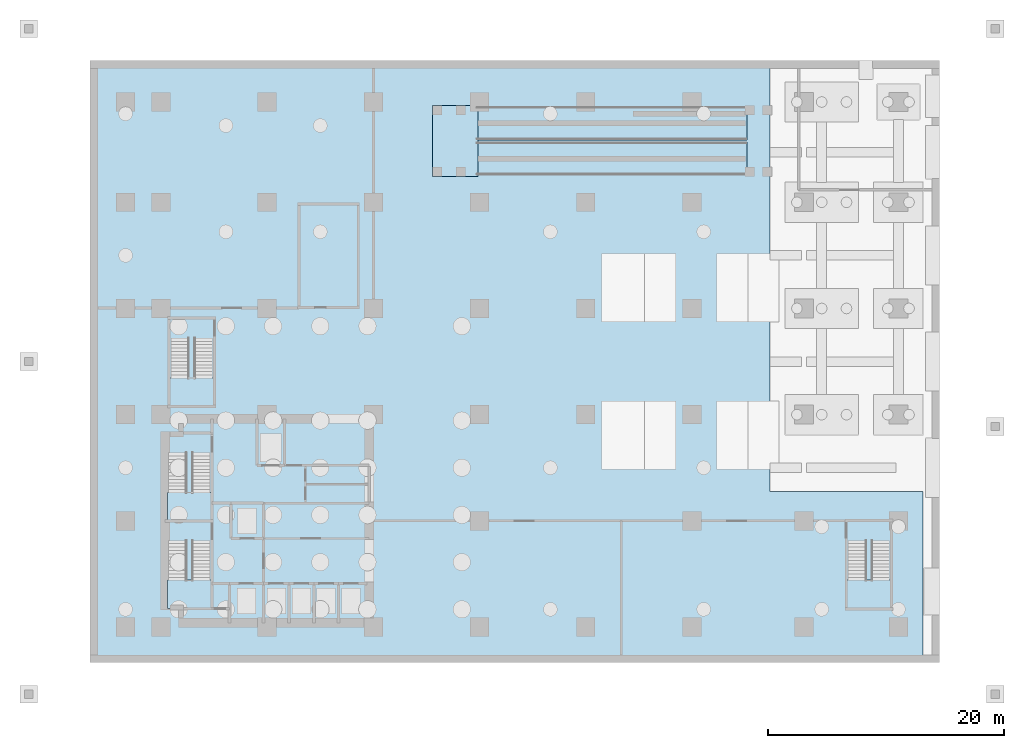
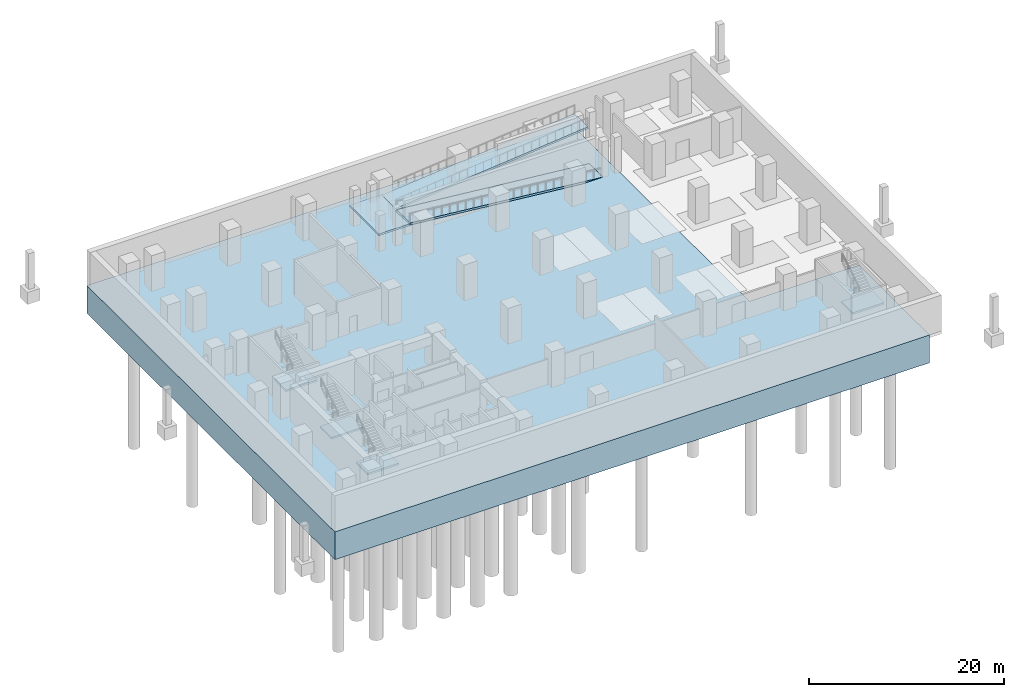
# One storey, part 2 of 10: 8 slabs, 4 elements without a shape of their own.
"""IFC4 building model written with IfcOpenShell, lengths in metres."""

from ifc_helpers import new_model, si_unit, direction, frame, origin, place, context, subcontext, project, spatial, polyline, outline, extrude, material, layer, layer_set, type_object, element, aggregate, save


model = new_model("IFC4")

# Units and contexts
model_context = context("Model", 3, precision=1e-05, world=origin(), true_north=direction((0.0, 1.0)))
body_context = subcontext(model_context, "Body", "Model", "MODEL_VIEW")
ifc_project = project(units=[si_unit("LENGTHUNIT", "METRE"), si_unit("AREAUNIT", "SQUARE_METRE"), si_unit("VOLUMEUNIT", "CUBIC_METRE"), si_unit("PLANEANGLEUNIT", "RADIAN"), si_unit("MASSUNIT", "GRAM", prefix="KILO")], contexts=[model_context])

# Site, building, storey
site_placement = place(None, origin())
site = spatial("IfcSite", under=ifc_project, at=site_placement, CompositionType="ELEMENT")
building_placement = place(site_placement, origin())
building = spatial("IfcBuilding", under=site, at=building_placement, Name="Mawjdan Bourse Tower", CompositionType="ELEMENT")
storey_placement = place(building_placement, frame((0.0, 0.0, -13.5)))
storey = spatial("IfcBuildingStorey", under=building, at=storey_placement, Name="B03", CompositionType="ELEMENT", Elevation=-13.5)

# Slabs
ifc_material_1 = material(Name="Reinforced Concrete C50/60", Category="concrete")
ifc_layer_1 = layer(ifc_material_1, 0.25)
ifc_layer_set_1 = layer_set([ifc_layer_1], Name="Reinforced Concrete C50/60")
slab_type_1 = type_object("IfcSlabType", Name="SL-BSM-250", PredefinedType="FLOOR", material=ifc_layer_set_1)
slab_1_placement = place(storey_placement, frame((55.64990234375, 41.300048828125, 0.0), z_axis=(0.097782840335, 0.0, 0.99520777536), x_axis=(-0.99520777536, 0.0, 0.097782840335)))
element("IfcSlab", 1, at=slab_1_placement, inside=storey, type_object=slab_type_1, Name="B03 Vehicle Ramp Flight 1", PredefinedType="FLOOR", context=body_context, shape_type="SweptSolid", body=[
    extrude(outline(polyline([(0.0, 0.0), (23.01017225822716, 0.0), (23.01017225822716, -2.8000488281250004), (0.0, -2.8000488281250004), (0.0, 0.0)])), origin(), (0.0, 0.0, -1.0), 0.25),
])
slab_2_placement = place(storey_placement, frame((32.75, 44.300048828125, 2.25), z_axis=(-0.097782840335, 0.0, 0.99520777536), x_axis=(0.99520777536, 0.0, 0.097782840335)))
element("IfcSlab", 2, at=slab_2_placement, inside=storey, type_object=slab_type_1, Name="B03 Vehicle Ramp Flight 2", PredefinedType="FLOOR", context=body_context, shape_type="SweptSolid", body=[
    extrude(outline(polyline([(0.0, 0.0), (23.01017225822716, 0.0), (23.01017225822716, 2.8000488281250004), (0.0, 2.8000488281250004), (0.0, 0.0)])), origin(), (0.0, 0.0, -1.0), 0.25),
])

# Stair, slab
ifc_material_2 = material(Name="Concrete C50/60", Category="concrete")
stair_type = type_object("IfcStairType", Name="STR-CORE-1500", PredefinedType="HALF_TURN_STAIR", material=ifc_material_2)
stair_1_placement = place(storey_placement, origin())
stair_1 = element("IfcStair", 3, at=stair_1_placement, inside=storey, type_object=stair_type, Name="B03 Exit Stair 1 (Core South-West)", PredefinedType="HALF_TURN_STAIR")
ifc_layer_2 = layer(ifc_material_2, 0.22998046875)
ifc_layer_set_2 = layer_set([ifc_layer_2], Name="Concrete C50/60")
slab_type_2 = type_object("IfcSlabType", Name="SL-LND-230", PredefinedType="LANDING", material=ifc_layer_set_2)
slab_3_placement = place(storey_placement, frame((0.0, 0.0, 2.02001953125)))
slab_3 = element("IfcSlab", 4, at=slab_3_placement, type_object=slab_type_2, Name="ST1-B03 landing 1", PredefinedType="LANDING", context=body_context, shape_type="SweptSolid", body=[
    extrude(outline(polyline([(6.5400390625, 4.590087890625), (10.260009765625, 4.590087890625), (10.260009765625, 6.969970703125), (6.5400390625, 6.969970703125), (6.5400390625, 4.590087890625)])), origin(), (0.0, 0.0, 1.0), 0.22998046875),
])
aggregate(stair_1, [slab_3])

stair_2_placement = place(storey_placement, origin())
stair_2 = element("IfcStair", 5, at=stair_2_placement, inside=storey, type_object=stair_type, Name="B03 Exit Stair 2 (Core North-West)", PredefinedType="HALF_TURN_STAIR")
slab_4_placement = place(storey_placement, frame((0.0, 0.0, 2.02001953125)))
slab_4 = element("IfcSlab", 6, at=slab_4_placement, type_object=slab_type_2, Name="ST2-B03 landing 1", PredefinedType="LANDING", context=body_context, shape_type="SweptSolid", body=[
    extrude(outline(polyline([(6.5400390625, 12.030029296875), (10.260009765625, 12.030029296875), (10.260009765625, 14.409912109375), (6.5400390625, 14.409912109375), (6.5400390625, 12.030029296875)])), origin(), (0.0, 0.0, 1.0), 0.22998046875),
])
aggregate(stair_2, [slab_4])

stair_3_placement = place(storey_placement, origin())
stair_3 = element("IfcStair", 7, at=stair_3_placement, inside=storey, type_object=stair_type, Name="B03 Exit Stair 3 (North Wing)", PredefinedType="HALF_TURN_STAIR")
slab_5_placement = place(storey_placement, frame((0.0, 0.0, 2.02001953125)))
slab_5 = element("IfcSlab", 8, at=slab_5_placement, type_object=slab_type_2, Name="ST3-B03 landing 1", PredefinedType="LANDING", context=body_context, shape_type="SweptSolid", body=[
    extrude(outline(polyline([(6.739990234375, 21.739990234375), (10.4599609375, 21.739990234375), (10.4599609375, 24.1201171875), (6.739990234375, 24.1201171875), (6.739990234375, 21.739990234375)])), origin(), (0.0, 0.0, 1.0), 0.22998046875),
])
aggregate(stair_3, [slab_5])

stair_4_placement = place(storey_placement, origin())
stair_4 = element("IfcStair", 9, at=stair_4_placement, inside=storey, type_object=stair_type, Name="B03 Exit Stair 6 (East Podium Pier)", PredefinedType="HALF_TURN_STAIR")
slab_6_placement = place(storey_placement, frame((0.0, 0.0, 2.02001953125)))
slab_6 = element("IfcSlab", 10, at=slab_6_placement, type_object=slab_type_2, Name="ST6-B03 landing 1", PredefinedType="LANDING", context=body_context, shape_type="SweptSolid", body=[
    extrude(outline(polyline([(64.139892578125, 4.590087890625), (67.860107421875, 4.590087890625), (67.860107421875, 6.969970703125), (64.139892578125, 6.969970703125), (64.139892578125, 4.590087890625)])), origin(), (0.0, 0.0, 1.0), 0.22998046875),
])
aggregate(stair_4, [slab_6])

# Slabs
slab_7_placement = place(storey_placement, frame((0.0, 0.0, 2.0)))
element("IfcSlab", 11, at=slab_7_placement, inside=storey, type_object=slab_type_2, Name="B03 Vehicle Ramp Half-Landing", PredefinedType="LANDING", context=body_context, shape_type="SweptSolid", body=[
    extrude(outline(polyline([(29.0, 41.199951171875), (32.85009765625, 41.199951171875), (32.85009765625, 47.199951171875), (29.0, 47.199951171875), (29.0, 41.199951171875)])), origin(), (0.0, 0.0, 1.0), 0.25),
])
ifc_material_3 = material(Name="Concrete C60/75", Category="concrete")
ifc_layer_3 = layer(ifc_material_3, 3.5)
ifc_layer_set_3 = layer_set([ifc_layer_3], Name="Concrete C60/75")
slab_type_3 = type_object("IfcSlabType", Name="SL-RAFT-3500", PredefinedType="BASESLAB", material=ifc_layer_set_3)
slab_8_placement = place(storey_placement, frame((0.0, 0.0, -3.5)))
element("IfcSlab", 12, at=slab_8_placement, inside=storey, type_object=slab_type_3, Name="Tower Piled Foundation Raft", PredefinedType="BASESLAB", context=body_context, shape_type="SweptSolid", body=[
    extrude(outline(polyline([(0.0, 0.0), (70.60009765625, 0.0), (70.60009765625, 14.5), (57.60009765625, 14.5), (57.60009765625, 51.0), (0.0, 51.0), (0.0, 0.0)])), origin(), (0.0, 0.0, 1.0), 3.5),
])

save(model, "model.ifc")
